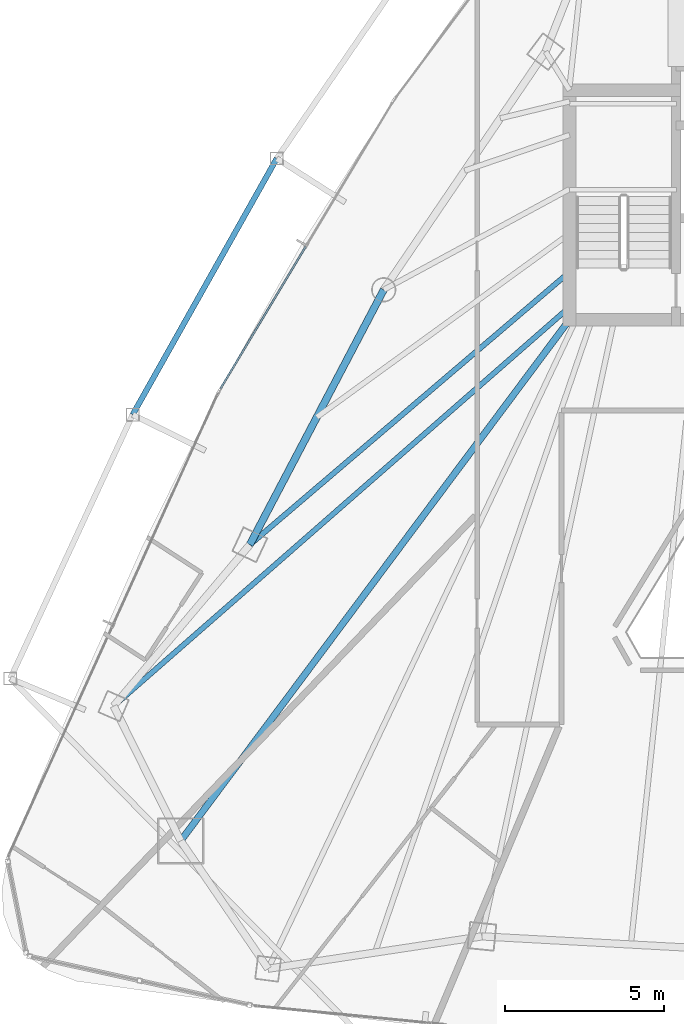
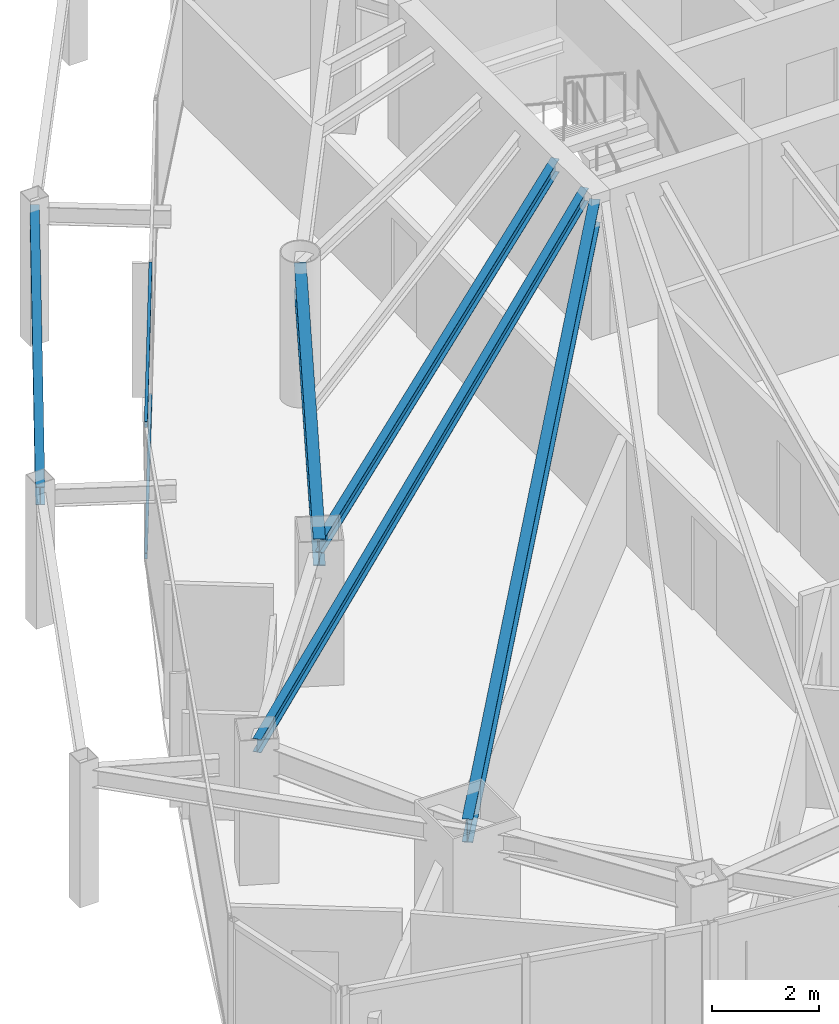
# One storey, part 11 of 30: 5 beams, 2 members, 1 element without a shape of its own.
"""IFC4 building model written with IfcOpenShell, lengths in metres."""

from ifc_helpers import new_model, si_unit, direction, frame, origin, origin_2d, place, context, subcontext, project, spatial, hollow_rectangle, i_section, extrude, material, layer, layer_set, material_profile, profile_set, type_object, element, aggregate, save


model = new_model("IFC4")

# Units and contexts
model_context = context("Model", 3, precision=1e-05, world=origin(), true_north=direction((0.0, 1.0)))
body_context = subcontext(model_context, "Body", "Model", "MODEL_VIEW")
ifc_project = project(units=[si_unit("LENGTHUNIT", "METRE"), si_unit("AREAUNIT", "SQUARE_METRE"), si_unit("VOLUMEUNIT", "CUBIC_METRE"), si_unit("PLANEANGLEUNIT", "RADIAN"), si_unit("MASSUNIT", "GRAM", prefix="KILO")], contexts=[model_context])

# Site, building, storey
site_placement = place(None, origin())
site = spatial("IfcSite", under=ifc_project, at=site_placement, CompositionType="ELEMENT")
building_placement = place(site_placement, origin())
building = spatial("IfcBuilding", under=site, at=building_placement, Name="Orvanel Arch Residences", CompositionType="ELEMENT")
storey_placement = place(building_placement, frame((0.0, 0.0, 180.35009765625)))
storey = spatial("IfcBuildingStorey", under=building, at=storey_placement, Name="L51", CompositionType="ELEMENT", Elevation=180.35009765625)

# Beams
ifc_material_1 = material(Name="Structural steel AS/NZS 3679.1 Grade 300 (300 MPa)", Category="steel")
ifc_material_profile_1 = material_profile(ifc_material_1, i_section(OverallWidth=0.208984375, OverallDepth=0.532958984375, WebThickness=0.01025390625, FlangeThickness=0.015625, at=origin_2d()), Name="530UB92.4")
ifc_profile_set_1 = profile_set([ifc_material_profile_1], Name="Structural steel AS/NZS 3679.1 Grade 300 (300 MPa)")
beam_type_1 = type_object("IfcBeamType", Name="BG-530UB", PredefinedType="BEAM", material=ifc_profile_set_1)
beam_1_placement = place(storey_placement, frame((26.375, 26.675048828125, 2.79296875), z_axis=(-0.597893733742, -0.801575375839, 0.0), x_axis=(0.801575375839, -0.597893733742, 0.0)))
element("IfcBeam", 1, at=beam_1_placement, inside=storey, type_object=beam_type_1, Name="L51 South-West Radial Girder", PredefinedType="BEAM", context=body_context, shape_type="SweptSolid", body=[
    extrude(i_section(OverallWidth=0.208984375, OverallDepth=0.532958984375, WebThickness=0.01025390625, FlangeThickness=0.015625, at=origin_2d()), origin(), (0.0, 0.0, 1.0), 20.36474609375),
])
ifc_material_profile_2 = material_profile(ifc_material_1, i_section(OverallWidth=0.1650390625, OverallDepth=0.303955078125, WebThickness=0.006103515625, FlangeThickness=0.01025390625, at=origin_2d()), Name="310UB40.4")
ifc_profile_set_2 = profile_set([ifc_material_profile_2], Name="Structural steel AS/NZS 3679.1 Grade 300 (300 MPa)")
beam_type_2 = type_object("IfcBeamType", Name="BJ-310UB", PredefinedType="JOIST", material=ifc_profile_set_2)
beam_2_placement = place(storey_placement, frame((26.39990234375, 28.199951171875, 2.907958984375), z_axis=(-0.760821315761, -0.648961420644, 0.0), x_axis=(0.648961420644, -0.760821315761, 0.0)))
element("IfcBeam", 2, at=beam_2_placement, inside=storey, type_object=beam_type_2, Name="L51 W Wing Floor Joist", PredefinedType="JOIST", context=body_context, shape_type="SweptSolid", body=[
    extrude(i_section(OverallWidth=0.1650390625, OverallDepth=0.303955078125, WebThickness=0.006103515625, FlangeThickness=0.01025390625, at=origin_2d()), origin(), (0.0, 0.0, 1.0), 13.18701171875),
])
beam_3_placement = place(storey_placement, frame((26.39990234375, 27.10009765625, 2.907958984375), z_axis=(-0.752493154183, -0.658600070534, 0.0), x_axis=(0.658600070534, -0.752493154183, 0.0)))
element("IfcBeam", 3, at=beam_3_placement, inside=storey, type_object=beam_type_2, Name="L51 MW Wing Floor Joist", PredefinedType="JOIST", context=body_context, shape_type="SweptSolid", body=[
    extrude(i_section(OverallWidth=0.1650390625, OverallDepth=0.303955078125, WebThickness=0.006103515625, FlangeThickness=0.01025390625, at=origin_2d()), origin(), (0.0, 0.0, 1.0), 19.010009765625),
])
ifc_material_profile_3 = material_profile(ifc_material_1, i_section(OverallWidth=0.177978515625, OverallDepth=0.406005859375, WebThickness=0.0078125, FlangeThickness=0.0126953125, at=origin_2d()), Name="410UB59.7")
ifc_profile_set_3 = profile_set([ifc_material_profile_3], Name="Structural steel AS/NZS 3679.1 Grade 300 (300 MPa)")
beam_type_3 = type_object("IfcBeamType", Name="OB-410UB-EXT", PredefinedType="SPANDREL", material=ifc_profile_set_3)
beam_4_placement = place(storey_placement, frame((17.2119140625, 31.759033203125, 2.85693359375), z_axis=(-0.490190842834, -0.871615131581, 0.0), x_axis=(0.871615131581, -0.490190842834, 0.0)))
element("IfcBeam", 4, at=beam_4_placement, inside=storey, type_object=beam_type_3, Name="L51 Outer Perimeter Floor Ring Beam 02", PredefinedType="SPANDREL", context=body_context, shape_type="SweptSolid", body=[
    extrude(i_section(OverallWidth=0.177978515625, OverallDepth=0.406005859375, WebThickness=0.0078125, FlangeThickness=0.0126953125, at=origin_2d()), origin(), (0.0, 0.0, 1.0), 9.220947265625),
])
ifc_material_profile_4 = material_profile(ifc_material_1, i_section(OverallWidth=0.22900390625, OverallDepth=0.612060546875, WebThickness=0.011962890625, FlangeThickness=0.01953125, at=origin_2d()), Name="610UB125")
ifc_profile_set_4 = profile_set([ifc_material_profile_4], Name="Structural steel AS/NZS 3679.1 Grade 300 (300 MPa)")
beam_type_4 = type_object("IfcBeamType", Name="SP-610UB", PredefinedType="SPANDREL", material=ifc_profile_set_4)
beam_5_placement = place(storey_placement, frame((20.569091796875, 27.64111328125, 2.75390625), z_axis=(-0.465064762793, -0.885276660942, 0.0), x_axis=(0.885276660942, -0.465064762793, 0.0)))
element("IfcBeam", 5, at=beam_5_placement, inside=storey, type_object=beam_type_4, Name="L51 Perimeter Spandrel Beam 18", PredefinedType="SPANDREL", context=body_context, shape_type="SweptSolid", body=[
    extrude(i_section(OverallWidth=0.22900390625, OverallDepth=0.612060546875, WebThickness=0.011962890625, FlangeThickness=0.01953125, at=origin_2d()), origin(), (0.0, 0.0, 1.0), 9.03564453125),
])

# Curtain wall, members
ifc_material_2 = material(Name="Bronze-anodised aluminium AA6063-T6", Category="aluminium")
ifc_layer = layer(ifc_material_2, 0.179931640625)
ifc_layer_set = layer_set([ifc_layer], Name="Bronze-anodised aluminium AA6063-T6")
curtain_wall_type = type_object("IfcCurtainWallType", Name="CW3-MID-SYS", PredefinedType="NOTDEFINED", material=ifc_layer_set)
curtain_wall_placement = place(storey_placement, origin())
curtain_wall = element("IfcCurtainWall", 6, at=curtain_wall_placement, inside=storey, type_object=curtain_wall_type, Name="L51 CW3-MID-SYS Unitised Curtain Wall", PredefinedType="NOTDEFINED")
ifc_material_profile_5 = material_profile(ifc_material_2, hollow_rectangle(XDim=0.06005859375, YDim=0.135009765625, WallThickness=0.00390625, at=origin_2d()), Name="ALU135x60x4")
ifc_profile_set_5 = profile_set([ifc_material_profile_5], Name="Bronze-anodised aluminium AA6063-T6")
member_type = type_object("IfcMemberType", Name="TRN-135x60", PredefinedType="USERDEFINED", material=ifc_profile_set_5)
member_1_placement = place(storey_placement, frame((18.12158203125, 28.998046875, 0.02978515625), z_axis=(-0.514357806117, -0.857575680209, 0.0), x_axis=(0.857575680209, -0.514357806117, 0.0)))
member_1 = element("IfcMember", 7, at=member_1_placement, type_object=member_type, Name="CW-S3 transom 2.1", ObjectType="TRANSOM", PredefinedType="USERDEFINED", context=body_context, shape_type="SweptSolid", body=[
    extrude(hollow_rectangle(XDim=0.06005859375, YDim=0.135009765625, WallThickness=0.00390625, at=origin_2d()), origin(), (0.0, 0.0, 1.0), 5.20556640625),
])
member_2_placement = place(storey_placement, frame((18.12158203125, 28.998046875, 3.02978515625), z_axis=(-0.514357806117, -0.857575680209, 0.0), x_axis=(0.857575680209, -0.514357806117, 0.0)))
member_2 = element("IfcMember", 8, at=member_2_placement, type_object=member_type, Name="CW-S3 transom 2.2", ObjectType="TRANSOM", PredefinedType="USERDEFINED", context=body_context, shape_type="SweptSolid", body=[
    extrude(hollow_rectangle(XDim=0.06005859375, YDim=0.135009765625, WallThickness=0.00390625, at=origin_2d()), origin(), (0.0, 0.0, 1.0), 5.20556640625),
])
aggregate(curtain_wall, [member_1, member_2])

save(model, "model.ifc")
